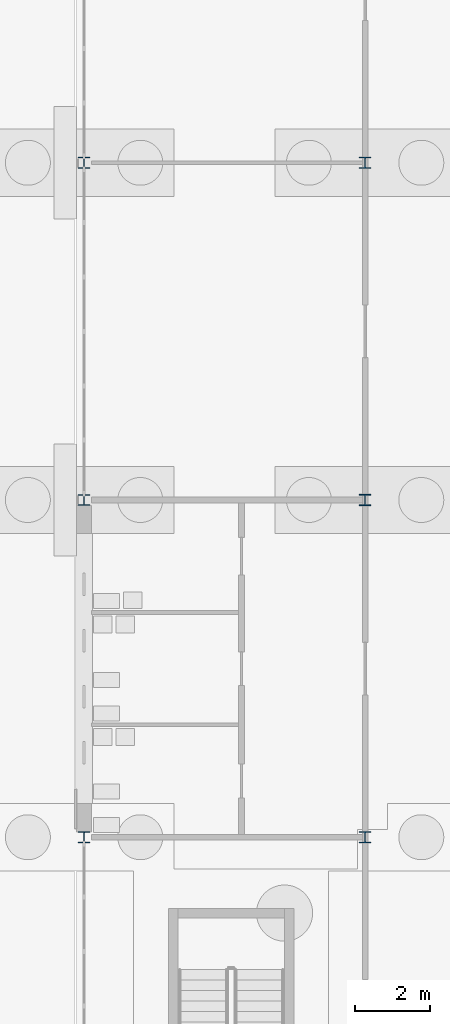
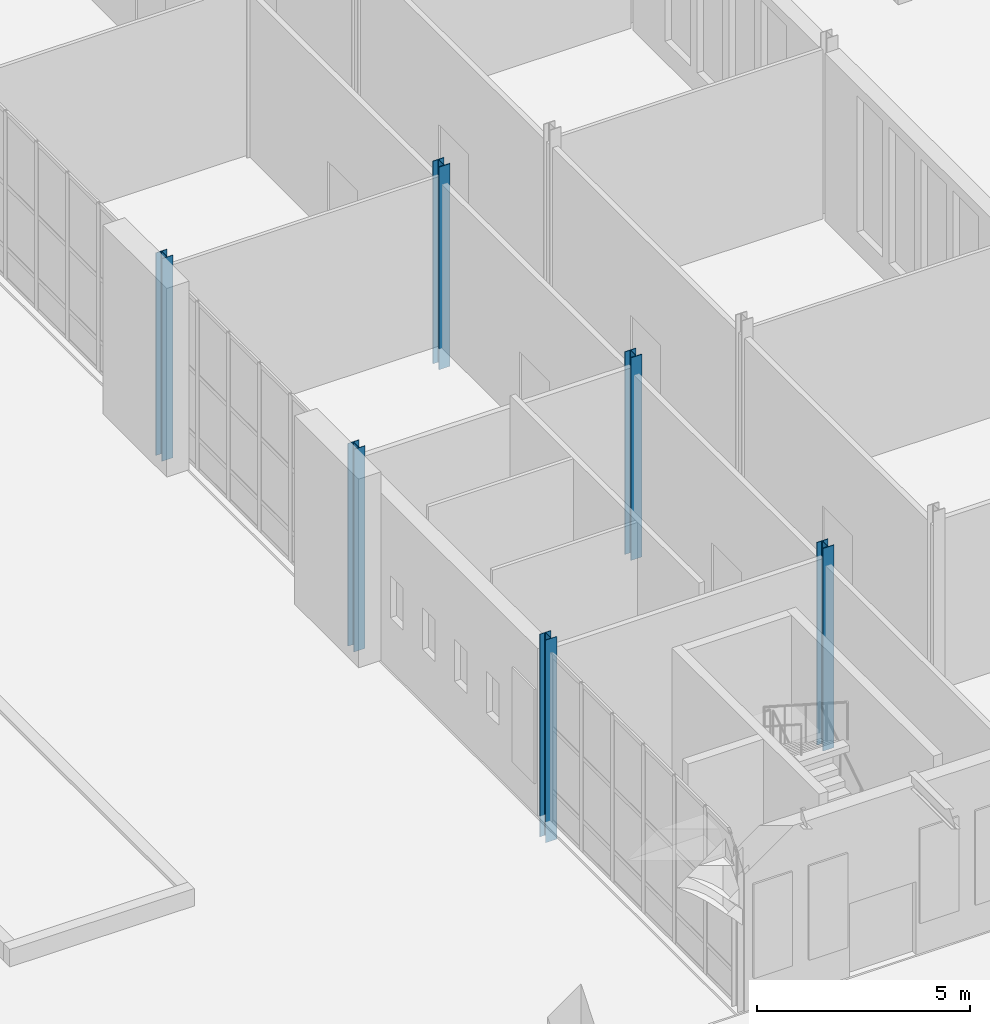
# One storey, part 13 of 168: 6 columns.
"""IFC4 building model written with IfcOpenShell, lengths in metres."""

import ifcopenshell
import ifcopenshell.guid

model = None  # the IFC model being written
_history = None  # IfcOwnerHistory: only IFC2X3 demands one
_inside = {}  # id of a spatial element -> (the spatial element, [elements in it])
_under = {}  # id of a project, library or spatial element -> (it, [spatial elements below it])
_declared = {}  # id of a project -> (the project, [libraries it declares])
_typed = {}  # id of a type object -> (the type object, [elements of that type])
_made_of = {}  # id of a material, layer set ... -> (it, [elements and type objects made of it])


def new_model(schema):
    """Start an empty IFC model of exactly this schema.

    Asked for "IFC4X3", IfcOpenShell would pick the latest addendum, in which some entities
    have other attributes; the version numbers below select the first issue.
    IFC2X3 requires an IfcOwnerHistory on every rooted entity: one is made here for all.
    """
    global model, _history
    if schema == "IFC4X3":
        model = ifcopenshell.file(schema_version=(4, 3, 0, 0))
    else:
        model = ifcopenshell.file(schema=schema)
    _inside.clear()
    _under.clear()
    _declared.clear()
    _typed.clear()
    _made_of.clear()
    _history = None
    if model.schema == "IFC2X3":
        org = make("IfcOrganization", Name="unknown")
        user = make(
            "IfcPersonAndOrganization",
            ThePerson=make("IfcPerson", FamilyName="unknown"),
            TheOrganization=org,
        )
        app = make(
            "IfcApplication",
            ApplicationDeveloper=org,
            Version="unknown",
            ApplicationFullName="unknown",
            ApplicationIdentifier="unknown",
        )
        _history = make(
            "IfcOwnerHistory",
            OwningUser=user,
            OwningApplication=app,
            ChangeAction="ADDED",
            CreationDate=0,
        )
    return model


def make(cls, **values):
    """One entity of the class cls with the attributes given. An attribute that is None is left unset."""
    return model.create_entity(
        cls, **{name: value for name, value in values.items() if value is not None}
    )


def rooted(cls, **values):
    """An entity with a GlobalId (a new one), such as an element, a storey or a relation."""
    return make(cls, GlobalId=ifcopenshell.guid.new(), OwnerHistory=_history, **values)


def si_unit(unit_type, name, prefix=None):
    """IfcSIUnit, for example si_unit("LENGTHUNIT", "METRE", prefix="MILLI")."""
    return make("IfcSIUnit", UnitType=unit_type, Prefix=prefix, Name=name)


def assignment(units):
    """IfcUnitAssignment: the units of a project."""
    return None if units is None else make("IfcUnitAssignment", Units=units)


def point(xyz):
    """IfcCartesianPoint."""
    return None if xyz is None else make("IfcCartesianPoint", Coordinates=xyz)


def direction(xyz):
    """IfcDirection."""
    return None if xyz is None else make("IfcDirection", DirectionRatios=xyz)


def frame(location, z_axis=None, x_axis=None):
    """IfcAxis2Placement3D, a coordinate frame: its origin and axes. An axis left out is left unset."""
    return make(
        "IfcAxis2Placement3D",
        Location=point(location),
        Axis=direction(z_axis),
        RefDirection=direction(x_axis),
    )


def frame_2d(location, x_axis=None):
    """IfcAxis2Placement2D, a coordinate frame in the plane: its origin and x axis."""
    return make(
        "IfcAxis2Placement2D", Location=point(location), RefDirection=direction(x_axis)
    )


def origin():
    """The frame at (0, 0, 0) with its axes left unset."""
    return frame((0.0, 0.0, 0.0))


def origin_2d():
    """The frame at (0, 0) in the plane with its x axis left unset."""
    return frame_2d((0.0, 0.0))


def place(relative_to, where):
    """IfcLocalPlacement: puts the frame where relative to a parent placement (None: the world)."""
    return make(
        "IfcLocalPlacement", PlacementRelTo=relative_to, RelativePlacement=where
    )


def context(
    kind, dimensions, precision=None, world=None, true_north=None, identifier=None
):
    """IfcGeometricRepresentationContext, for example the 3D "Model" context."""
    return make(
        "IfcGeometricRepresentationContext",
        ContextIdentifier=identifier,
        ContextType=kind,
        CoordinateSpaceDimension=dimensions,
        Precision=precision,
        WorldCoordinateSystem=world,
        TrueNorth=true_north,
    )


def subcontext(parent, identifier, kind, view, scale=None):
    """IfcGeometricRepresentationSubContext, for example "Body" below "Model"."""
    return make(
        "IfcGeometricRepresentationSubContext",
        ContextIdentifier=identifier,
        ContextType=kind,
        ParentContext=parent,
        TargetScale=scale,
        TargetView=view,
    )


def project(units=None, contexts=None):
    """IfcProject with its units and contexts."""
    return rooted(
        "IfcProject",
        Name="project",
        RepresentationContexts=contexts,
        UnitsInContext=assignment(units),
    )


def spatial(cls, under=None, at=None, **own):
    """A site, building, storey or space (cls), placed at a placement, below another one or the project."""
    s = rooted(cls, ObjectPlacement=at, **own)
    if under is not None:
        _under.setdefault(under.id(), (under, []))[1].append(s)
    return s


def profile(cls, at=None, kind="AREA", **sizes):
    """A parametric profile (cls). Its sizes go by their IFC names, for example OverallWidth=200.0."""
    return make(cls, ProfileType=kind, Position=at, **sizes)


def i_section(**sizes):
    """IfcIShapeProfileDef."""
    return profile("IfcIShapeProfileDef", **sizes)


def extrude(swept, where, along, depth):
    """IfcExtrudedAreaSolid: the profile swept, set in the frame where, extruded along a direction by depth."""
    return make(
        "IfcExtrudedAreaSolid",
        SweptArea=swept,
        Position=where,
        ExtrudedDirection=direction(along),
        Depth=depth,
    )


def shape(context_of_items, identifier, shape_type, items):
    """IfcShapeRepresentation: the items that make up one representation, for example the "Body"."""
    return make(
        "IfcShapeRepresentation",
        ContextOfItems=context_of_items,
        RepresentationIdentifier=identifier,
        RepresentationType=shape_type,
        Items=items,
    )


def material(Name=None, Category=None):
    """IfcMaterial."""
    return make("IfcMaterial", Name=Name, Category=Category)


def material_profile(
    of_material, cross_section, Name=None, Category=None, Priority=None
):
    """IfcMaterialProfile: a cross section and its material."""
    return make(
        "IfcMaterialProfile",
        Name=Name,
        Material=of_material,
        Profile=cross_section,
        Priority=Priority,
        Category=Category,
    )


def profile_set(profiles, Name=None, composite=None):
    """IfcMaterialProfileSet."""
    return make(
        "IfcMaterialProfileSet",
        Name=Name,
        MaterialProfiles=profiles,
        CompositeProfile=composite,
    )


def made_of(thing, what):
    """Note that an element or type object is made of a material, layer set ...; save() writes the relation."""
    if what is not None:
        _made_of.setdefault(what.id(), (what, []))[1].append(thing)
    return thing


def type_object(cls, material=None, **own):
    """A type object (cls), such as IfcWallType, which elements share."""
    return made_of(rooted(cls, **own), material)


def element(
    cls,
    number,
    at=None,
    inside=None,
    cuts=None,
    type_object=None,
    material=None,
    context=None,
    identifier="Body",
    shape_type=None,
    held_by="IfcProductDefinitionShape",
    body=None,
    shapes=None,
    **own,
):
    """One element of the class cls, such as IfcWall. Its Tag is "e" and its number.

    at: its placement. inside: the storey or other place that contains it. cuts: it is an
    opening in that element (IfcRelVoidsElement). A single representation is given by context,
    identifier, shape_type and body (its items); several are given by shapes. held_by: the class
    of the entity that holds the representations. save() writes the other relations.
    """
    e = rooted(cls, Tag="e%d" % number, ObjectPlacement=at, **own)
    if body is not None:
        shapes = [shape(context, identifier, shape_type, body)]
    if shapes is not None:
        e.Representation = make(held_by, Representations=shapes)
    if inside is not None:
        _inside.setdefault(inside.id(), (inside, []))[1].append(e)
    if cuts is not None:
        rooted(
            "IfcRelVoidsElement", RelatingBuildingElement=cuts, RelatedOpeningElement=e
        )
    if type_object is not None:
        _typed.setdefault(type_object.id(), (type_object, []))[1].append(e)
    return made_of(e, material)


def aggregate(whole, parts):
    """IfcRelAggregates: a whole, such as a stair, and the parts it consists of."""
    return rooted("IfcRelAggregates", RelatingObject=whole, RelatedObjects=parts)


def save(model, path):
    """Write the relations noted so far, then the file.

    IfcRelAggregates (storeys below a building ...), IfcRelContainedInSpatialStructure (elements
    in a storey), IfcRelDefinesByType, IfcRelAssociatesMaterial and IfcRelDeclares: one each for
    every whole, place, type object, material and project.
    """
    for whole, parts in _under.values():
        aggregate(whole, parts)
    for where, things in _inside.values():
        rooted(
            "IfcRelContainedInSpatialStructure",
            RelatedElements=things,
            RelatingStructure=where,
        )
    for kind, things in _typed.values():
        rooted("IfcRelDefinesByType", RelatedObjects=things, RelatingType=kind)
    for what, things in _made_of.values():
        rooted("IfcRelAssociatesMaterial", RelatedObjects=things, RelatingMaterial=what)
    for by, libraries in _declared.values():
        rooted("IfcRelDeclares", RelatingContext=by, RelatedDefinitions=libraries)
    model.write(path)


model = new_model("IFC4")

# Units and contexts
model_context = context("Model", 3, precision=1e-05, world=origin(), true_north=direction((0.0, 1.0)))
body_context = subcontext(model_context, "Body", "Model", "MODEL_VIEW")
ifc_project = project(units=[si_unit("LENGTHUNIT", "METRE"), si_unit("AREAUNIT", "SQUARE_METRE"), si_unit("VOLUMEUNIT", "CUBIC_METRE"), si_unit("PLANEANGLEUNIT", "RADIAN"), si_unit("MASSUNIT", "GRAM", prefix="KILO")], contexts=[model_context])

# Site, building, storey
site_placement = place(None, origin())
site = spatial("IfcSite", under=ifc_project, at=site_placement, CompositionType="ELEMENT")
building_placement = place(site_placement, origin())
building = spatial("IfcBuilding", under=site, at=building_placement, Name="Golden Quay Civic Hall", CompositionType="ELEMENT")
storey_placement = place(building_placement, origin())
storey = spatial("IfcBuildingStorey", under=building, at=storey_placement, Name="L00", CompositionType="ELEMENT", Elevation=0.0)

# Columns
ifc_material_1 = material(Name="Steel S355", Category="steel")
ifc_material_profile_1 = material_profile(ifc_material_1, i_section(OverallWidth=0.300048828125, OverallDepth=0.2900390625, WebThickness=0.008544921875, FlangeThickness=0.013916015625, FilletRadius=0.027099609375, at=origin_2d()), Name="HEA 300")
ifc_profile_set_1 = profile_set([ifc_material_profile_1], Name="Steel S355")
column_type_1 = type_object("IfcColumnType", Name="Steel column HEA 300", PredefinedType="COLUMN", material=ifc_profile_set_1)
for number, where, z_axis, x_axis, name in (
    (1, (54.0, 9.0, -0.60009765625), (0.0, 0.0, 1.0), (1.0, 0.0, 0.0), "Column 54/9 L00"),
    (2, (54.0, 18.0, -0.60009765625), (0.0, 0.0, 1.0), (1.0, 0.0, 0.0), "Column 54/18 L00"),
    (3, (54.0, 27.0, -0.60009765625), (0.0, 0.0, 1.0), (1.0, 0.0, 0.0), "Column 54/27 L00"),
):
    element("IfcColumn", number, at=place(storey_placement, frame(where, z_axis=z_axis, x_axis=x_axis)), inside=storey, type_object=column_type_1, Name=name, PredefinedType="COLUMN", context=body_context, shape_type="SweptSolid", body=[
        extrude(i_section(OverallWidth=0.300048828125, OverallDepth=0.2900390625, WebThickness=0.008544921875, FlangeThickness=0.013916015625, FilletRadius=0.027099609375, at=origin_2d()), origin(), (0.0, 0.0, 1.0), 5.800048828125),
    ])
ifc_material_2 = material(Name="Steel S355", Category="steel")
ifc_material_profile_2 = material_profile(ifc_material_2, i_section(OverallWidth=0.300048828125, OverallDepth=0.300048828125, WebThickness=0.010986328125, FlangeThickness=0.01904296875, FilletRadius=0.027099609375, at=origin_2d()), Name="HEB 300")
ifc_profile_set_2 = profile_set([ifc_material_profile_2], Name="Steel S355")
column_type_2 = type_object("IfcColumnType", Name="Steel column HEB 300", PredefinedType="COLUMN", material=ifc_profile_set_2)
for number, where, z_axis, x_axis, name in (
    (4, (61.5, 9.0, -0.60009765625), (0.0, 0.0, 1.0), (1.0, 0.0, 0.0), "Column 61.5/9 L00"),
    (5, (61.5, 18.0, -0.60009765625), (0.0, 0.0, 1.0), (1.0, 0.0, 0.0), "Column 61.5/18 L00"),
    (6, (61.5, 27.0, -0.60009765625), (0.0, 0.0, 1.0), (1.0, 0.0, 0.0), "Column 61.5/27 L00"),
):
    element("IfcColumn", number, at=place(storey_placement, frame(where, z_axis=z_axis, x_axis=x_axis)), inside=storey, type_object=column_type_2, Name=name, PredefinedType="COLUMN", context=body_context, shape_type="SweptSolid", body=[
        extrude(i_section(OverallWidth=0.300048828125, OverallDepth=0.300048828125, WebThickness=0.010986328125, FlangeThickness=0.01904296875, FilletRadius=0.027099609375, at=origin_2d()), origin(), (0.0, 0.0, 1.0), 5.800048828125),
    ])

save(model, "model.ifc")
